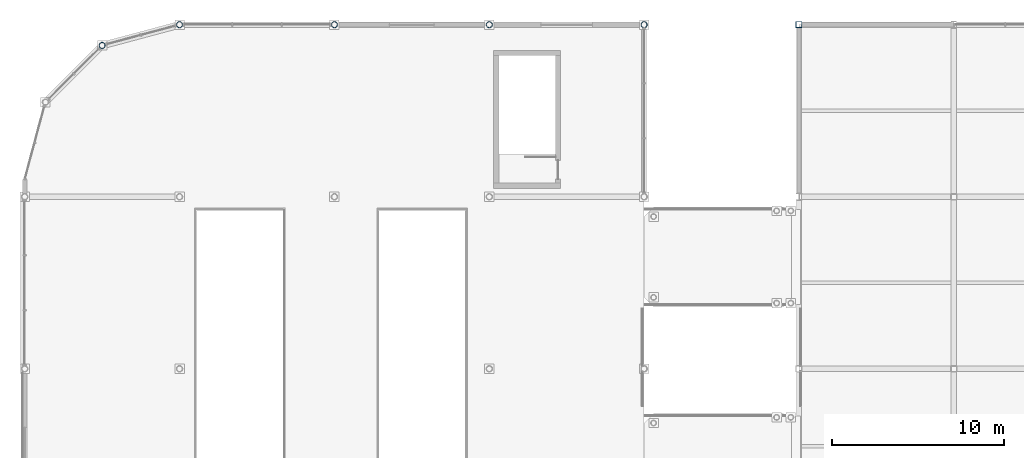
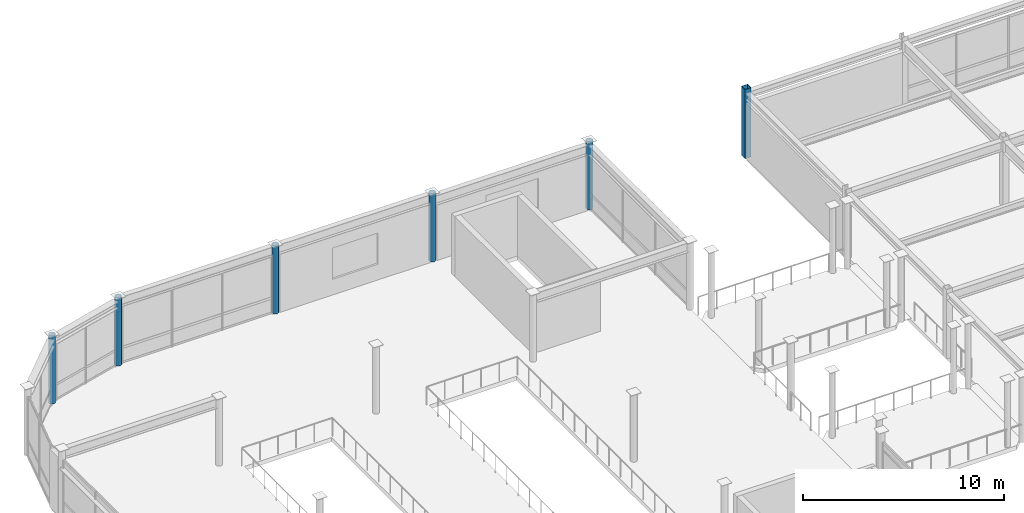
# One storey, part 6 of 53: 6 columns.
"""IFC4 building model written with IfcOpenShell, lengths in metres."""

from ifc_helpers import new_model, si_unit, direction, frame, origin, origin_2d, place, context, subcontext, project, spatial, hollow_rectangle, hollow_circle, extrude, material, material_profile, profile_set, type_object, element, save


model = new_model("IFC4")

# Units and contexts
model_context = context("Model", 3, precision=1e-05, world=origin(), true_north=direction((0.0, 1.0)))
body_context = subcontext(model_context, "Body", "Model", "MODEL_VIEW")
ifc_project = project(units=[si_unit("LENGTHUNIT", "METRE"), si_unit("AREAUNIT", "SQUARE_METRE"), si_unit("VOLUMEUNIT", "CUBIC_METRE"), si_unit("PLANEANGLEUNIT", "RADIAN"), si_unit("MASSUNIT", "GRAM", prefix="KILO")], contexts=[model_context])

# Site, building, storey
site_placement = place(None, origin())
site = spatial("IfcSite", under=ifc_project, at=site_placement, CompositionType="ELEMENT")
building_placement = place(site_placement, origin())
building = spatial("IfcBuilding", under=site, at=building_placement, Name="Suzunagisa Mobility Hub", CompositionType="ELEMENT")
storey_placement = place(building_placement, frame((0.0, 0.0, 17.699951171875)))
storey = spatial("IfcBuildingStorey", under=building, at=storey_placement, Name="L04", CompositionType="ELEMENT", Elevation=17.699951171875)

# Columns
ifc_material = material(Name="Steel SN490B", Category="steel")
ifc_material_profile_1 = material_profile(ifc_material, hollow_rectangle(XDim=0.35009765625, YDim=0.35009765625, WallThickness=0.01611328125, at=origin_2d()), Name="BCR-350x350x16")
ifc_profile_set_1 = profile_set([ifc_material_profile_1], Name="Steel SN490B")
column_type_1 = type_object("IfcColumnType", Name="Steel Column CL-04 BCR-350x350x16", PredefinedType="COLUMN", material=ifc_profile_set_1)
column_placement = place(storey_placement, frame((45.0, 118.0, 0.0), z_axis=(0.0, 0.0, 1.0), x_axis=(1.0, 0.0, 0.0)))
element("IfcColumn", 1, at=column_placement, inside=storey, type_object=column_type_1, Name="L04 Column 122", PredefinedType="COLUMN", context=body_context, shape_type="SweptSolid", body=[
    extrude(hollow_rectangle(XDim=0.35009765625, YDim=0.35009765625, WallThickness=0.01611328125, at=origin_2d()), origin(), (0.0, 0.0, 1.0), 4.199951171875),
])
ifc_material_profile_2 = material_profile(ifc_material, hollow_circle(Radius=0.177734375, WallThickness=0.0126953125, at=origin_2d()), Name="CHS-355.6x12.7")
ifc_profile_set_2 = profile_set([ifc_material_profile_2], Name="Steel SN490B")
column_type_2 = type_object("IfcColumnType", Name="Steel Column CL-18 CHS-355.6x12.7", PredefinedType="COLUMN", material=ifc_profile_set_2)
for number, where, z_axis, x_axis, name in (
    (2, (4.5, 116.794189453125, 0.0), (0.0, 0.0, 1.0), (1.0, 0.0, 0.0), "L04 Column 19"),
    (3, (9.0, 118.0, 0.0), (0.0, 0.0, 1.0), (1.0, 0.0, 0.0), "L04 Column 32"),
    (4, (18.0, 118.0, 0.0), (0.0, 0.0, 1.0), (1.0, 0.0, 0.0), "L04 Column 53"),
    (5, (27.0, 118.0, 0.0), (0.0, 0.0, 1.0), (1.0, 0.0, 0.0), "L04 Column 74"),
    (6, (36.0, 118.0, 0.0), (0.0, 0.0, 1.0), (1.0, 0.0, 0.0), "L04 Column 89"),
):
    element("IfcColumn", number, at=place(storey_placement, frame(where, z_axis=z_axis, x_axis=x_axis)), inside=storey, type_object=column_type_2, Name=name, PredefinedType="COLUMN", context=body_context, shape_type="SweptSolid", body=[
        extrude(hollow_circle(Radius=0.177734375, WallThickness=0.0126953125, at=origin_2d()), origin(), (0.0, 0.0, 1.0), 4.14013671875),
    ])

save(model, "model.ifc")
